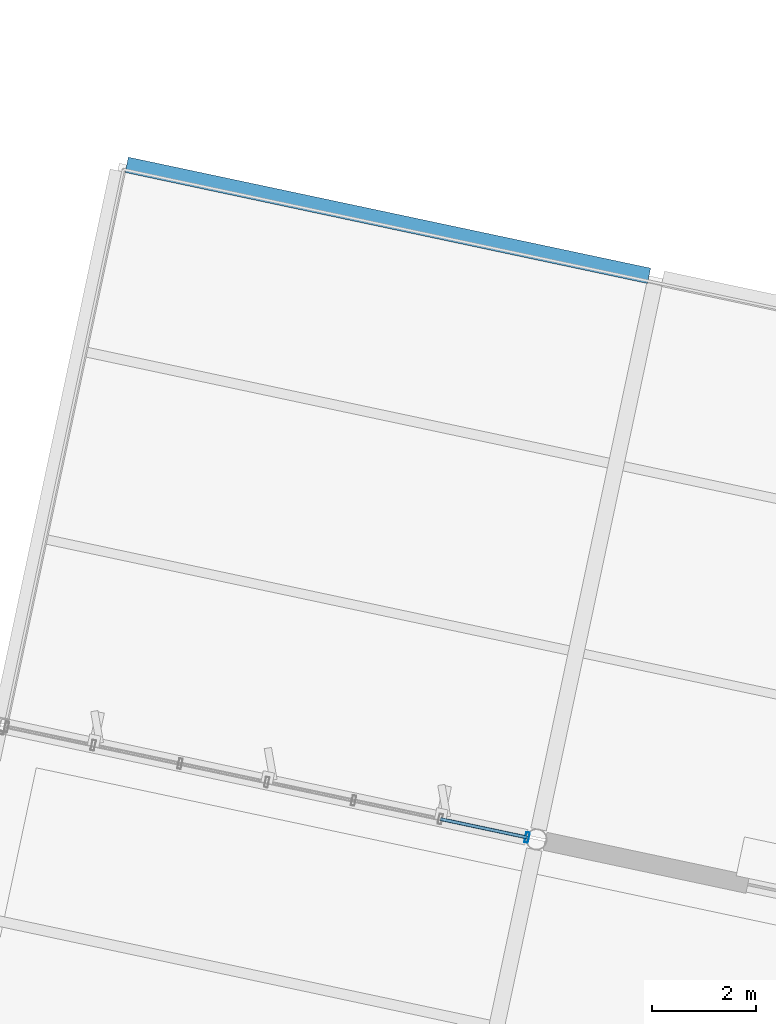
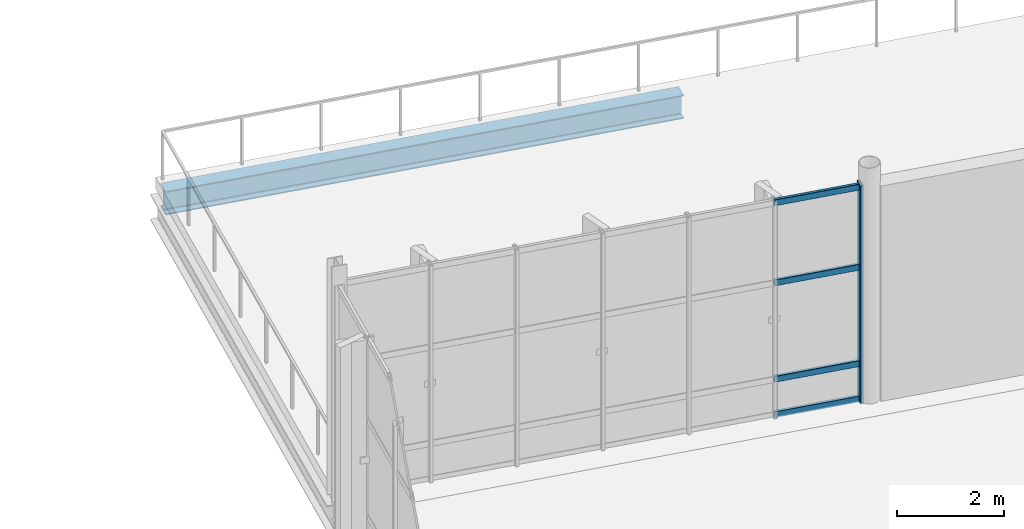
# One storey, part 41 of 176: 5 members, 1 beam, 1 element without a shape of its own.
"""IFC4 building model written with IfcOpenShell, lengths in metres."""

from ifc_helpers import new_model, si_unit, direction, frame, origin, origin_2d, place, context, subcontext, project, spatial, hollow_rectangle, i_section, extrude, material, layer, layer_set, material_profile, profile_set, type_object, element, aggregate, save


model = new_model("IFC4")

# Units and contexts
model_context = context("Model", 3, precision=1e-05, world=origin(), true_north=direction((0.0, 1.0)))
body_context = subcontext(model_context, "Body", "Model", "MODEL_VIEW")
ifc_project = project(units=[si_unit("LENGTHUNIT", "METRE"), si_unit("AREAUNIT", "SQUARE_METRE"), si_unit("VOLUMEUNIT", "CUBIC_METRE"), si_unit("PLANEANGLEUNIT", "RADIAN"), si_unit("MASSUNIT", "GRAM", prefix="KILO")], contexts=[model_context])

# Site, building, storey
site_placement = place(None, origin())
site = spatial("IfcSite", under=ifc_project, at=site_placement, CompositionType="ELEMENT")
building_placement = place(site_placement, origin())
building = spatial("IfcBuilding", under=site, at=building_placement, Name="Khorjan Park Terminus", CompositionType="ELEMENT")
storey_placement = place(building_placement, frame((0.0, 0.0, 6.0)))
storey = spatial("IfcBuildingStorey", under=building, at=storey_placement, Name="L01", CompositionType="ELEMENT", Elevation=6.0)

# Beam
ifc_material_1 = material(Name="Steel S355", Category="steel")
ifc_material_profile_1 = material_profile(ifc_material_1, i_section(OverallWidth=0.3, OverallDepth=0.54, WebThickness=0.0125, FlangeThickness=0.024, FilletRadius=0.027, at=origin_2d()), Name="HEA 550")
ifc_profile_set_1 = profile_set([ifc_material_profile_1], Name="Steel S355")
beam_type = type_object("IfcBeamType", Name="BM-HEA550", PredefinedType="BEAM", material=ifc_profile_set_1)
beam_placement = place(storey_placement, frame((3.2899, 85.0083, -0.53), z_axis=(0.978148877835, -0.207905682438, 0.0), x_axis=(0.207905682438, 0.978148877835, 0.0)))
element("IfcBeam", 1, at=beam_placement, inside=storey, type_object=beam_type, Name="Primary skew-grid floor girder SB-A55 (L01)", PredefinedType="BEAM", context=body_context, shape_type="SweptSolid", body=[
    extrude(i_section(OverallWidth=0.3, OverallDepth=0.54, WebThickness=0.0125, FlangeThickness=0.024, FilletRadius=0.027, at=origin_2d()), origin(), (0.0, 0.0, 1.0), 10.22),
])

# Curtain wall, members
ifc_material_2 = material(Name="Anodized Bronze Aluminium", Category="aluminium")
ifc_layer = layer(ifc_material_2, 0.22)
ifc_layer_set = layer_set([ifc_layer], Name="Anodized Bronze Aluminium")
curtain_wall_type = type_object("IfcCurtainWallType", Name="CW-PAV-C", PredefinedType="NOTDEFINED", material=ifc_layer_set)
curtain_wall_placement = place(storey_placement, origin())
curtain_wall = element("IfcCurtainWall", 2, at=curtain_wall_placement, inside=storey, type_object=curtain_wall_type, Name="Unitized curtain wall CW-C (CW-V4-N-L01-B03)", PredefinedType="NOTDEFINED")
ifc_material_profile_2 = material_profile(ifc_material_2, hollow_rectangle(XDim=0.07, YDim=0.2, WallThickness=0.005, InnerFilletRadius=0.005, OuterFilletRadius=0.01, at=origin_2d()), Name="ALM 70x200x5")
ifc_profile_set_2 = profile_set([ifc_material_profile_2], Name="Anodized Bronze Aluminium")
member_type_1 = type_object("IfcMemberType", Name="ML-ALM-200", PredefinedType="MULLION", material=ifc_profile_set_2)
member_1_placement = place(storey_placement, frame((10.9527, 72.1338, -0.035), z_axis=(0.0, 0.0, 1.0), x_axis=(-0.978146425179, 0.207917221289, 0.0)))
member_1 = element("IfcMember", 3, at=member_1_placement, type_object=member_type_1, Name="Curtain-wall mullion ML-20 (CW-V4-N-L01-B03-0)", PredefinedType="MULLION", context=body_context, shape_type="SweptSolid", body=[
    extrude(hollow_rectangle(XDim=0.07, YDim=0.2, WallThickness=0.005, InnerFilletRadius=0.005, OuterFilletRadius=0.01, at=origin_2d()), origin(), (0.0, 0.0, 1.0), 5.0),
])
ifc_material_profile_3 = material_profile(ifc_material_2, hollow_rectangle(XDim=0.065, YDim=0.14, WallThickness=0.004, InnerFilletRadius=0.004, OuterFilletRadius=0.008, at=origin_2d()), Name="ALT 65x140x4")
ifc_profile_set_3 = profile_set([ifc_material_profile_3], Name="Anodized Bronze Aluminium")
member_type_2 = type_object("IfcMemberType", Name="TR-ALT-140", PredefinedType="USERDEFINED", material=ifc_profile_set_3)
member_2_placement = place(storey_placement, frame((10.9527, 72.1338, 0.04), z_axis=(-0.9781492701, 0.207903836913, 0.0), x_axis=(-0.207903836913, -0.9781492701, 0.0)))
member_2 = element("IfcMember", 4, at=member_2_placement, type_object=member_type_2, Name="Curtain-wall transom TR-14 (CW-V4-N-L01-B03-0-1)", ObjectType="TRANSOM", PredefinedType="USERDEFINED", context=body_context, shape_type="SweptSolid", body=[
    extrude(hollow_rectangle(XDim=0.065, YDim=0.14, WallThickness=0.004, InnerFilletRadius=0.004, OuterFilletRadius=0.008, at=origin_2d()), origin(), (0.0, 0.0, 1.0), 1.6979),
])
member_3_placement = place(storey_placement, frame((10.9527, 72.1338, 0.85), z_axis=(-0.9781492701, 0.207903836913, 0.0), x_axis=(-0.207903836913, -0.9781492701, 0.0)))
member_3 = element("IfcMember", 5, at=member_3_placement, type_object=member_type_2, Name="Curtain-wall transom TR-14 (CW-V4-N-L01-B03-0-2)", ObjectType="TRANSOM", PredefinedType="USERDEFINED", context=body_context, shape_type="SweptSolid", body=[
    extrude(hollow_rectangle(XDim=0.065, YDim=0.14, WallThickness=0.004, InnerFilletRadius=0.004, OuterFilletRadius=0.008, at=origin_2d()), origin(), (0.0, 0.0, 1.0), 1.6979),
])
member_4_placement = place(storey_placement, frame((10.9527, 72.1338, 3.0566), z_axis=(-0.9781492701, 0.207903836913, 0.0), x_axis=(-0.207903836913, -0.9781492701, 0.0)))
member_4 = element("IfcMember", 6, at=member_4_placement, type_object=member_type_2, Name="Curtain-wall transom TR-14 (CW-V4-N-L01-B03-0-3)", ObjectType="TRANSOM", PredefinedType="USERDEFINED", context=body_context, shape_type="SweptSolid", body=[
    extrude(hollow_rectangle(XDim=0.065, YDim=0.14, WallThickness=0.004, InnerFilletRadius=0.004, OuterFilletRadius=0.008, at=origin_2d()), origin(), (0.0, 0.0, 1.0), 1.6979),
])
member_5_placement = place(storey_placement, frame((10.9527, 72.1338, 4.89), z_axis=(-0.9781492701, 0.207903836913, 0.0), x_axis=(-0.207903836913, -0.9781492701, 0.0)))
member_5 = element("IfcMember", 7, at=member_5_placement, type_object=member_type_2, Name="Curtain-wall transom TR-14 (CW-V4-N-L01-B03-0-4)", ObjectType="TRANSOM", PredefinedType="USERDEFINED", context=body_context, shape_type="SweptSolid", body=[
    extrude(hollow_rectangle(XDim=0.065, YDim=0.14, WallThickness=0.004, InnerFilletRadius=0.004, OuterFilletRadius=0.008, at=origin_2d()), origin(), (0.0, 0.0, 1.0), 1.6979),
])
aggregate(curtain_wall, [member_1, member_2, member_3, member_4, member_5])

save(model, "model.ifc")
